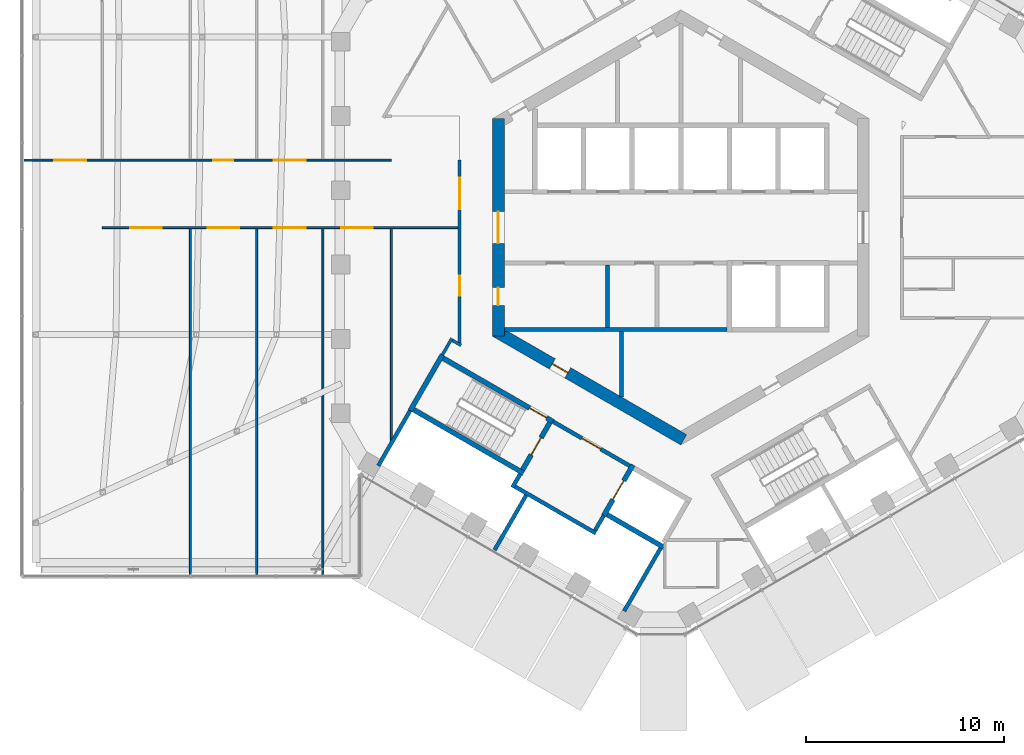
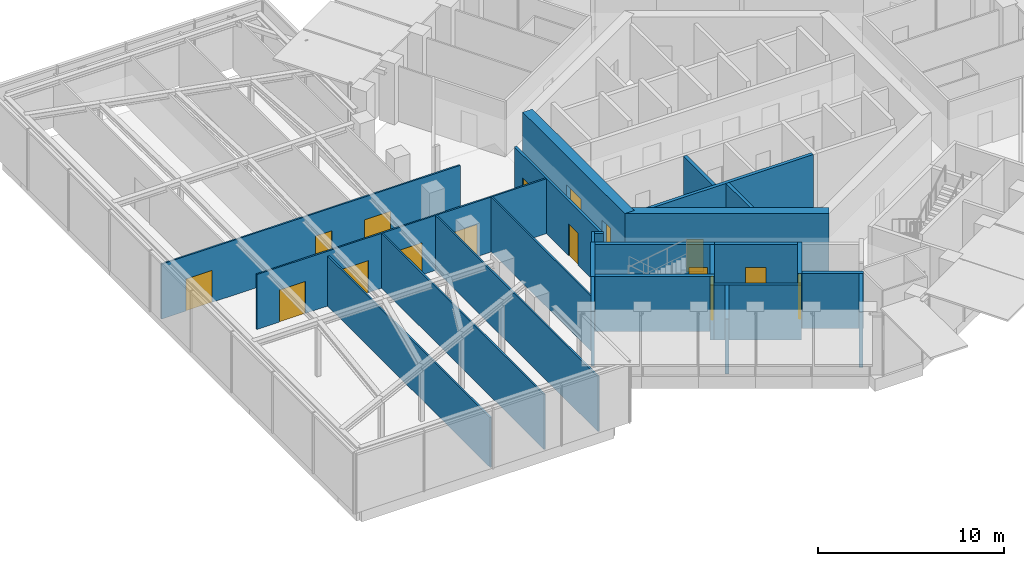
# One storey, part 16 of 24: 27 walls, 16 doors, 16 openings.
"""IFC4 building model written with IfcOpenShell, lengths in metres."""

from ifc_helpers import new_model, si_unit, direction, frame, frame_2d, origin, place, context, subcontext, project, spatial, rectangle, extrude, material, layer, layer_set, type_object, element, fill, save


model = new_model("IFC4")

# Units and contexts
model_context = context("Model", 3, precision=1e-05, world=origin(), true_north=direction((0.0, 1.0)))
body_context = subcontext(model_context, "Body", "Model", "MODEL_VIEW")
ifc_project = project(units=[si_unit("LENGTHUNIT", "METRE"), si_unit("AREAUNIT", "SQUARE_METRE"), si_unit("VOLUMEUNIT", "CUBIC_METRE"), si_unit("PLANEANGLEUNIT", "RADIAN"), si_unit("MASSUNIT", "GRAM", prefix="KILO")], contexts=[model_context])

# Site, building, storey
site_placement = place(None, origin())
site = spatial("IfcSite", under=ifc_project, at=site_placement, CompositionType="ELEMENT")
building_placement = place(site_placement, origin())
building = spatial("IfcBuilding", under=site, at=building_placement, Name="Ayvan Gate Tower", CompositionType="ELEMENT")
storey_placement = place(building_placement, frame((0.0, 0.0, 210.10009765625)))
storey = spatial("IfcBuildingStorey", under=building, at=storey_placement, Name="L56", CompositionType="ELEMENT", Elevation=210.10009765625)

# Wall, openings, doors
ifc_material_1 = material(Name="Concrete C60/75", Category="concrete")
ifc_layer_1 = layer(ifc_material_1, 0.60009765625)
ifc_layer_set_1 = layer_set([ifc_layer_1], Name="Concrete C60/75")
wall_type_1 = type_object("IfcWallType", Name="Core wall 600 C60/75", PredefinedType="SHEAR", material=ifc_layer_set_1)
wall_1_placement = place(storey_placement, frame((-9.199951171875, 5.48486328125, 0.0), z_axis=(0.0, 0.0, 1.0), x_axis=(0.0, -1.0, 0.0)))
wall_1 = element("IfcWall", 1, at=wall_1_placement, inside=storey, type_object=wall_type_1, Name="CORE-L56-3", PredefinedType="SHEAR", context=body_context, shape_type="SweptSolid", body=[
    extrude(rectangle(XDim=10.9697265625, YDim=0.60009765625, at=frame_2d((5.48486328125, 0.0))), origin(), (0.0, 0.0, 1.0), 4.0),
])
opening_1_placement = place(wall_1_placement, frame((8.51611328125, 0.0, 0.0)))
opening_1 = element("IfcOpeningElement", 2, at=opening_1_placement, cuts=wall_1, Name="Opening L56-D53", PredefinedType="OPENING", context=body_context, shape_type="SweptSolid", body=[
    extrude(rectangle(XDim=0.89990234375, YDim=2.10009765625, at=frame_2d((0.449951171875, 1.050048828125))), frame((0.0, 0.31005859375, 0.0), z_axis=(0.0, -1.0, 0.0), x_axis=(1.0, 0.0, 0.0)), (0.0, 0.0, 1.0), 0.6201171875),
])
opening_2_placement = place(wall_1_placement, frame((4.684814453125, 0.0, 0.0)))
opening_2 = element("IfcOpeningElement", 3, at=opening_2_placement, cuts=wall_1, Name="Opening L56-D55", PredefinedType="OPENING", context=body_context, shape_type="SweptSolid", body=[
    extrude(rectangle(XDim=1.60009765625, YDim=2.10009765625, at=frame_2d((0.800048828125, 1.050048828125))), frame((0.0, 0.31005859375, 0.0), z_axis=(0.0, -1.0, 0.0), x_axis=(1.0, 0.0, 0.0)), (0.0, 0.0, 1.0), 0.6201171875),
])
ifc_material_2 = material(Name="Timber door leaf", Category="wood")
door_type_1 = type_object("IfcDoorType", Name="DT-1600", OperationType="NOTDEFINED", PredefinedType="DOOR", material=ifc_material_2)
door_1_placement = place(opening_2_placement, origin())
door_1 = element("IfcDoor", 4, at=door_1_placement, inside=storey, type_object=door_type_1, Name="CD-L56-55", OperationType="SINGLE_SWING_LEFT", OverallHeight=2.10009765625, OverallWidth=1.60009765625, PredefinedType="DOOR", context=body_context, shape_type="SweptSolid", body=[
    extrude(rectangle(XDim=1.60009765625, YDim=2.10009765625, at=frame_2d((0.800048828125, 1.050048828125))), frame((0.0, 0.02490234375, 0.0), z_axis=(0.0, -1.0, 0.0), x_axis=(1.0, 0.0, 0.0)), (0.0, 0.0, 1.0), 0.050048828125),
])
fill(opening_2, door_1)
door_type_2 = type_object("IfcDoorType", Name="DT-900", OperationType="NOTDEFINED", PredefinedType="DOOR", material=ifc_material_2)
door_2_placement = place(opening_1_placement, origin())
door_2 = element("IfcDoor", 5, at=door_2_placement, inside=storey, type_object=door_type_2, Name="CD-L56-53", OperationType="SINGLE_SWING_LEFT", OverallHeight=2.10009765625, OverallWidth=0.89990234375, PredefinedType="DOOR", context=body_context, shape_type="SweptSolid", body=[
    extrude(rectangle(XDim=0.89990234375, YDim=2.10009765625, at=frame_2d((0.449951171875, 1.050048828125))), frame((0.0, 0.02490234375, 0.0), z_axis=(0.0, -1.0, 0.0), x_axis=(1.0, 0.0, 0.0)), (0.0, 0.0, 1.0), 0.050048828125),
])
fill(opening_1, door_2)

# Wall, opening, door
wall_2_placement = place(storey_placement, frame((-9.35009765625, -5.22509765625, 0.0), z_axis=(0.0, 0.0, 1.0), x_axis=(0.866023993627, -0.500002442456, 0.0)))
wall_2 = element("IfcWall", 6, at=wall_2_placement, inside=storey, type_object=wall_type_1, Name="CORE-L56-4", PredefinedType="SHEAR", context=body_context, shape_type="SweptSolid", body=[
    extrude(rectangle(XDim=10.9697265625, YDim=0.60009765625, at=frame_2d((5.48486328125, 0.0))), origin(), (0.0, 0.0, 1.0), 4.0),
])
opening_3_placement = place(wall_2_placement, frame((3.31494140625, 0.0, 0.0)))
opening_3 = element("IfcOpeningElement", 7, at=opening_3_placement, cuts=wall_2, Name="Opening L56-D51", PredefinedType="OPENING", context=body_context, shape_type="SweptSolid", body=[
    extrude(rectangle(XDim=0.89990234375, YDim=2.10009765625, at=frame_2d((0.449951171875, 1.050048828125))), frame((0.0, 0.31005859375, 0.0), z_axis=(0.0, -1.0, 0.0), x_axis=(1.0, 0.0, 0.0)), (0.0, 0.0, 1.0), 0.6201171875),
])
door_3_placement = place(opening_3_placement, origin())
door_3 = element("IfcDoor", 8, at=door_3_placement, inside=storey, type_object=door_type_2, Name="CD-L56-51", OperationType="SINGLE_SWING_LEFT", OverallHeight=2.10009765625, OverallWidth=0.89990234375, PredefinedType="DOOR", context=body_context, shape_type="SweptSolid", body=[
    extrude(rectangle(XDim=0.89990234375, YDim=2.10009765625, at=frame_2d((0.449951171875, 1.050048828125))), frame((0.0, 0.02490234375, 0.0), z_axis=(0.0, -1.0, 0.0), x_axis=(1.0, 0.0, 0.0)), (0.0, 0.0, 1.0), 0.050048828125),
])
fill(opening_3, door_3)

# Walls
ifc_material_3 = material(Name="Plasterboard on steel stud", Category="steel")
ifc_layer_2 = layer(ifc_material_3, 0.14990234375)
ifc_layer_set_2 = layer_set([ifc_layer_2], Name="Plasterboard on steel stud")
wall_type_2 = type_object("IfcWallType", Name="WT-CORR-150", PredefinedType="PARTITIONING", material=ifc_layer_set_2)
wall_3_placement = place(storey_placement, frame((-12.02294921875, -6.42431640625, 0.0), z_axis=(0.0, 0.0, 1.0), x_axis=(0.500023335103, 0.866011930837, 0.0)))
element("IfcWall", 9, at=wall_3_placement, inside=storey, type_object=wall_type_2, Name="IW-L56-014", PredefinedType="PARTITIONING", context=body_context, shape_type="SweptSolid", body=[
    extrude(rectangle(XDim=0.9599609375, YDim=0.14990234375, at=frame_2d((0.47998046875, 0.0))), origin(), (0.0, 0.0, 1.0), 3.599853515625),
])
wall_4_placement = place(storey_placement, frame((-11.515380859375, -5.6953125, 0.0), z_axis=(0.0, 0.0, 1.0), x_axis=(0.865997437773, -0.500048435424, 0.0)))
element("IfcWall", 10, at=wall_4_placement, inside=storey, type_object=wall_type_2, Name="IW-L56-018", PredefinedType="PARTITIONING", context=body_context, shape_type="SweptSolid", body=[
    extrude(rectangle(XDim=0.4970703125, YDim=0.14990234375, at=frame_2d((0.24853515625, 0.0))), origin(), (0.0, 0.0, 1.0), 3.599853515625),
])

# Wall, openings, doors
wall_5_placement = place(storey_placement, frame((-11.14990234375, 3.396484375, 0.0), z_axis=(0.0, 0.0, 1.0), x_axis=(0.0, -1.0, 0.0)))
wall_5 = element("IfcWall", 11, at=wall_5_placement, inside=storey, type_object=wall_type_2, Name="IW-L56-019", PredefinedType="PARTITIONING", context=body_context, shape_type="SweptSolid", body=[
    extrude(rectangle(XDim=9.227783203125, YDim=0.14990234375, at=frame_2d((4.61376953125, 0.0))), origin(), (0.0, 0.0, 1.0), 3.599853515625),
])
opening_4_placement = place(wall_5_placement, frame((0.885009765625, 0.0, 0.0)))
opening_4 = element("IfcOpeningElement", 12, at=opening_4_placement, cuts=wall_5, Name="Opening L56-D36", PredefinedType="OPENING", context=body_context, shape_type="SweptSolid", body=[
    extrude(rectangle(XDim=1.60009765625, YDim=2.10009765625, at=frame_2d((0.800048828125, 1.050048828125))), frame((0.0, 0.0849609375, 0.0), z_axis=(0.0, -1.0, 0.0), x_axis=(1.0, 0.0, 0.0)), (0.0, 0.0, 1.0), 0.169921875),
])
opening_5_placement = place(wall_5_placement, frame((5.828857421875, 0.0, 0.0)))
opening_5 = element("IfcOpeningElement", 13, at=opening_5_placement, cuts=wall_5, Name="Opening L56-D38", PredefinedType="OPENING", context=body_context, shape_type="SweptSolid", body=[
    extrude(rectangle(XDim=1.0, YDim=2.10009765625, at=frame_2d((0.5, 1.050048828125))), frame((0.0, 0.0849609375, 0.0), z_axis=(0.0, -1.0, 0.0), x_axis=(1.0, 0.0, 0.0)), (0.0, 0.0, 1.0), 0.169921875),
])
door_type_3 = type_object("IfcDoorType", Name="DT-1000", OperationType="NOTDEFINED", PredefinedType="DOOR", material=ifc_material_2)
door_4_placement = place(opening_5_placement, origin())
door_4 = element("IfcDoor", 14, at=door_4_placement, inside=storey, type_object=door_type_3, Name="ID-L56-038", OperationType="SINGLE_SWING_RIGHT", OverallHeight=2.10009765625, OverallWidth=1.0, PredefinedType="DOOR", context=body_context, shape_type="SweptSolid", body=[
    extrude(rectangle(XDim=1.0, YDim=2.10009765625, at=frame_2d((0.5, 1.050048828125))), frame((0.0, 0.02490234375, 0.0), z_axis=(0.0, -1.0, 0.0), x_axis=(1.0, 0.0, 0.0)), (0.0, 0.0, 1.0), 0.050048828125),
])
fill(opening_5, door_4)
door_5_placement = place(opening_4_placement, origin())
door_5 = element("IfcDoor", 15, at=door_5_placement, inside=storey, type_object=door_type_1, Name="ID-L56-036", OperationType="SINGLE_SWING_RIGHT", OverallHeight=2.10009765625, OverallWidth=1.60009765625, PredefinedType="DOOR", context=body_context, shape_type="SweptSolid", body=[
    extrude(rectangle(XDim=1.60009765625, YDim=2.10009765625, at=frame_2d((0.800048828125, 1.050048828125))), frame((0.0, 0.02490234375, 0.0), z_axis=(0.0, -1.0, 0.0), x_axis=(1.0, 0.0, 0.0)), (0.0, 0.0, 1.0), 0.050048828125),
])
fill(opening_4, door_5)

ifc_layer_3 = layer(ifc_material_3, 0.10009765625)
ifc_layer_set_3 = layer_set([ifc_layer_3], Name="Plasterboard on steel stud")
wall_type_3 = type_object("IfcWallType", Name="WT-PART-100", PredefinedType="PARTITIONING", material=ifc_layer_set_3)
wall_6_placement = place(storey_placement, frame((-33.120361328125, 3.396484375, 0.0), z_axis=(0.0, 0.0, 1.0), x_axis=(1.0, 0.0, 0.0)))
wall_6 = element("IfcWall", 16, at=wall_6_placement, inside=storey, type_object=wall_type_3, Name="IW-L56-000", PredefinedType="PARTITIONING", context=body_context, shape_type="SweptSolid", body=[
    extrude(rectangle(XDim=18.52001953125, YDim=0.10009765625, at=frame_2d((9.260009765625, 0.0))), origin(), (0.0, 0.0, 1.0), 3.599853515625),
])
opening_6_placement = place(wall_6_placement, frame((1.531005859375, 0.0, 0.0)))
opening_6 = element("IfcOpeningElement", 17, at=opening_6_placement, cuts=wall_6, Name="Opening L56-D37", PredefinedType="OPENING", context=body_context, shape_type="SweptSolid", body=[
    extrude(rectangle(XDim=1.60009765625, YDim=2.10009765625, at=frame_2d((0.800048828125, 1.050048828125))), frame((0.0, 0.06005859375, 0.0), z_axis=(0.0, -1.0, 0.0), x_axis=(1.0, 0.0, 0.0)), (0.0, 0.0, 1.0), 0.1201171875),
])
opening_7_placement = place(wall_6_placement, frame((12.59765625, 0.0, 0.0)))
opening_7 = element("IfcOpeningElement", 18, at=opening_7_placement, cuts=wall_6, Name="Opening L56-D41", PredefinedType="OPENING", context=body_context, shape_type="SweptSolid", body=[
    extrude(rectangle(XDim=1.60009765625, YDim=2.10009765625, at=frame_2d((0.800048828125, 1.050048828125))), frame((0.0, 0.06005859375, 0.0), z_axis=(0.0, -1.0, 0.0), x_axis=(1.0, 0.0, 0.0)), (0.0, 0.0, 1.0), 0.1201171875),
])
opening_8_placement = place(wall_6_placement, frame((9.55419921875, 0.0, 0.0)))
opening_8 = element("IfcOpeningElement", 19, at=opening_8_placement, cuts=wall_6, Name="Opening L56-D42", PredefinedType="OPENING", context=body_context, shape_type="SweptSolid", body=[
    extrude(rectangle(XDim=1.0, YDim=2.10009765625, at=frame_2d((0.5, 1.050048828125))), frame((0.0, 0.06005859375, 0.0), z_axis=(0.0, -1.0, 0.0), x_axis=(1.0, 0.0, 0.0)), (0.0, 0.0, 1.0), 0.1201171875),
])
door_6_placement = place(opening_8_placement, origin())
door_6 = element("IfcDoor", 20, at=door_6_placement, inside=storey, type_object=door_type_3, Name="ID-L56-042", OperationType="SINGLE_SWING_RIGHT", OverallHeight=2.10009765625, OverallWidth=1.0, PredefinedType="DOOR", context=body_context, shape_type="SweptSolid", body=[
    extrude(rectangle(XDim=1.0, YDim=2.10009765625, at=frame_2d((0.5, 1.050048828125))), frame((0.0, 0.02490234375, 0.0), z_axis=(0.0, -1.0, 0.0), x_axis=(1.0, 0.0, 0.0)), (0.0, 0.0, 1.0), 0.050048828125),
])
fill(opening_8, door_6)
door_7_placement = place(opening_6_placement, origin())
door_7 = element("IfcDoor", 21, at=door_7_placement, inside=storey, type_object=door_type_1, Name="ID-L56-037", OperationType="SINGLE_SWING_LEFT", OverallHeight=2.10009765625, OverallWidth=1.60009765625, PredefinedType="DOOR", context=body_context, shape_type="SweptSolid", body=[
    extrude(rectangle(XDim=1.60009765625, YDim=2.10009765625, at=frame_2d((0.800048828125, 1.050048828125))), frame((0.0, 0.02490234375, 0.0), z_axis=(0.0, -1.0, 0.0), x_axis=(1.0, 0.0, 0.0)), (0.0, 0.0, 1.0), 0.050048828125),
])
fill(opening_6, door_7)
door_8_placement = place(opening_7_placement, origin())
door_8 = element("IfcDoor", 22, at=door_8_placement, inside=storey, type_object=door_type_1, Name="ID-L56-041", OperationType="SINGLE_SWING_LEFT", OverallHeight=2.10009765625, OverallWidth=1.60009765625, PredefinedType="DOOR", context=body_context, shape_type="SweptSolid", body=[
    extrude(rectangle(XDim=1.60009765625, YDim=2.10009765625, at=frame_2d((0.800048828125, 1.050048828125))), frame((0.0, 0.02490234375, 0.0), z_axis=(0.0, -1.0, 0.0), x_axis=(1.0, 0.0, 0.0)), (0.0, 0.0, 1.0), 0.050048828125),
])
fill(opening_7, door_8)

# Wall
wall_7_placement = place(storey_placement, frame((-24.738037109375, -17.49609375, 0.0), z_axis=(0.0, 0.0, 1.0), x_axis=(0.0, 1.0, 0.0)))
element("IfcWall", 23, at=wall_7_placement, inside=storey, type_object=wall_type_3, Name="IW-L56-002", PredefinedType="PARTITIONING", context=body_context, shape_type="SweptSolid", body=[
    extrude(rectangle(XDim=17.4423828125, YDim=0.10009765625, at=frame_2d((8.72119140625, 0.0))), origin(), (0.0, 0.0, 1.0), 3.27490234375),
])

# Wall, openings, doors
wall_8_placement = place(storey_placement, frame((-29.17431640625, -0.003662109375, 0.0), z_axis=(0.0, 0.0, 1.0), x_axis=(1.0, 0.0, 0.0)))
wall_8 = element("IfcWall", 24, at=wall_8_placement, inside=storey, type_object=wall_type_3, Name="IW-L56-004", PredefinedType="PARTITIONING", context=body_context, shape_type="SweptSolid", body=[
    extrude(rectangle(XDim=17.94921875, YDim=0.10009765625, at=frame_2d((8.974609375, 0.0))), origin(), (0.0, 0.0, 1.0), 3.599853515625),
])
opening_9_placement = place(wall_8_placement, frame((12.048583984375, 0.0, 0.0)))
opening_9 = element("IfcOpeningElement", 25, at=opening_9_placement, cuts=wall_8, Name="Opening L56-D39", PredefinedType="OPENING", context=body_context, shape_type="SweptSolid", body=[
    extrude(rectangle(XDim=1.60009765625, YDim=2.10009765625, at=frame_2d((0.800048828125, 1.050048828125))), frame((0.0, 0.06005859375, 0.0), z_axis=(0.0, -1.0, 0.0), x_axis=(1.0, 0.0, 0.0)), (0.0, 0.0, 1.0), 0.1201171875),
])
opening_10_placement = place(wall_8_placement, frame((8.651611328125, 0.0, 0.0)))
opening_10 = element("IfcOpeningElement", 26, at=opening_10_placement, cuts=wall_8, Name="Opening L56-D43", PredefinedType="OPENING", context=body_context, shape_type="SweptSolid", body=[
    extrude(rectangle(XDim=1.60009765625, YDim=2.10009765625, at=frame_2d((0.800048828125, 1.050048828125))), frame((0.0, 0.06005859375, 0.0), z_axis=(0.0, -1.0, 0.0), x_axis=(1.0, 0.0, 0.0)), (0.0, 0.0, 1.0), 0.1201171875),
])
opening_11_placement = place(wall_8_placement, frame((5.30810546875, 0.0, 0.0)))
opening_11 = element("IfcOpeningElement", 27, at=opening_11_placement, cuts=wall_8, Name="Opening L56-D44", PredefinedType="OPENING", context=body_context, shape_type="SweptSolid", body=[
    extrude(rectangle(XDim=1.60009765625, YDim=2.10009765625, at=frame_2d((0.800048828125, 1.050048828125))), frame((0.0, 0.06005859375, 0.0), z_axis=(0.0, -1.0, 0.0), x_axis=(1.0, 0.0, 0.0)), (0.0, 0.0, 1.0), 0.1201171875),
])
opening_12_placement = place(wall_8_placement, frame((1.4033203125, 0.0, 0.0)))
opening_12 = element("IfcOpeningElement", 28, at=opening_12_placement, cuts=wall_8, Name="Opening L56-D46", PredefinedType="OPENING", context=body_context, shape_type="SweptSolid", body=[
    extrude(rectangle(XDim=1.60009765625, YDim=2.10009765625, at=frame_2d((0.800048828125, 1.050048828125))), frame((0.0, 0.06005859375, 0.0), z_axis=(0.0, -1.0, 0.0), x_axis=(1.0, 0.0, 0.0)), (0.0, 0.0, 1.0), 0.1201171875),
])
door_9_placement = place(opening_9_placement, origin())
door_9 = element("IfcDoor", 29, at=door_9_placement, inside=storey, type_object=door_type_1, Name="ID-L56-039", OperationType="SINGLE_SWING_RIGHT", OverallHeight=2.10009765625, OverallWidth=1.60009765625, PredefinedType="DOOR", context=body_context, shape_type="SweptSolid", body=[
    extrude(rectangle(XDim=1.60009765625, YDim=2.10009765625, at=frame_2d((0.800048828125, 1.050048828125))), frame((0.0, 0.02490234375, 0.0), z_axis=(0.0, -1.0, 0.0), x_axis=(1.0, 0.0, 0.0)), (0.0, 0.0, 1.0), 0.050048828125),
])
fill(opening_9, door_9)
door_10_placement = place(opening_10_placement, origin())
door_10 = element("IfcDoor", 30, at=door_10_placement, inside=storey, type_object=door_type_1, Name="ID-L56-043", OperationType="SINGLE_SWING_LEFT", OverallHeight=2.10009765625, OverallWidth=1.60009765625, PredefinedType="DOOR", context=body_context, shape_type="SweptSolid", body=[
    extrude(rectangle(XDim=1.60009765625, YDim=2.10009765625, at=frame_2d((0.800048828125, 1.050048828125))), frame((0.0, 0.02490234375, 0.0), z_axis=(0.0, -1.0, 0.0), x_axis=(1.0, 0.0, 0.0)), (0.0, 0.0, 1.0), 0.050048828125),
])
fill(opening_10, door_10)
door_11_placement = place(opening_11_placement, origin())
door_11 = element("IfcDoor", 31, at=door_11_placement, inside=storey, type_object=door_type_1, Name="ID-L56-044", OperationType="SINGLE_SWING_RIGHT", OverallHeight=2.10009765625, OverallWidth=1.60009765625, PredefinedType="DOOR", context=body_context, shape_type="SweptSolid", body=[
    extrude(rectangle(XDim=1.60009765625, YDim=2.10009765625, at=frame_2d((0.800048828125, 1.050048828125))), frame((0.0, 0.02490234375, 0.0), z_axis=(0.0, -1.0, 0.0), x_axis=(1.0, 0.0, 0.0)), (0.0, 0.0, 1.0), 0.050048828125),
])
fill(opening_11, door_11)
door_12_placement = place(opening_12_placement, origin())
door_12 = element("IfcDoor", 32, at=door_12_placement, inside=storey, type_object=door_type_1, Name="ID-L56-046", OperationType="SINGLE_SWING_RIGHT", OverallHeight=2.10009765625, OverallWidth=1.60009765625, PredefinedType="DOOR", context=body_context, shape_type="SweptSolid", body=[
    extrude(rectangle(XDim=1.60009765625, YDim=2.10009765625, at=frame_2d((0.800048828125, 1.050048828125))), frame((0.0, 0.02490234375, 0.0), z_axis=(0.0, -1.0, 0.0), x_axis=(1.0, 0.0, 0.0)), (0.0, 0.0, 1.0), 0.050048828125),
])
fill(opening_12, door_12)

# Walls
for number, where, z_axis, x_axis, name in (
    (33, (-21.394287109375, -17.49609375, 0.0), (0.0, 0.0, 1.0), (0.0, 1.0, 0.0), "IW-L56-005"),
    (34, (-18.05078125, -17.49609375, 0.0), (0.0, 0.0, 1.0), (0.0, 1.0, 0.0), "IW-L56-007"),
):
    element("IfcWall", number, at=place(storey_placement, frame(where, z_axis=z_axis, x_axis=x_axis)), inside=storey, type_object=wall_type_3, Name=name, PredefinedType="PARTITIONING", context=body_context, shape_type="SweptSolid", body=[
        extrude(rectangle(XDim=17.4423828125, YDim=0.10009765625, at=frame_2d((8.72119140625, 0.0))), origin(), (0.0, 0.0, 1.0), 3.599853515625),
    ])
wall_9_placement = place(storey_placement, frame((-14.600341796875, -10.788818359375, 0.0), z_axis=(0.0, 0.0, 1.0), x_axis=(0.0, 1.0, 0.0)))
element("IfcWall", 35, at=wall_9_placement, inside=storey, type_object=wall_type_3, Name="IW-L56-011", PredefinedType="PARTITIONING", context=body_context, shape_type="SweptSolid", body=[
    extrude(rectangle(XDim=10.735107421875, YDim=0.10009765625, at=frame_2d((5.36767578125, 0.0))), origin(), (0.0, 0.0, 1.0), 3.599853515625),
])
ifc_layer_4 = layer(ifc_material_3, 0.199951171875)
ifc_layer_set_4 = layer_set([ifc_layer_4], Name="Plasterboard on steel stud")
wall_type_4 = type_object("IfcWallType", Name="WT-PLUMB-200", PredefinedType="PLUMBINGWALL", material=ifc_layer_set_4)
wall_10_placement = place(storey_placement, frame((-15.253662109375, -12.020263671875, 0.0), z_axis=(0.0, 0.0, 1.0), x_axis=(0.499957148214, 0.866050142861, 0.0)))
element("IfcWall", 36, at=wall_10_placement, inside=storey, type_object=wall_type_4, Name="IW-L56-009", PredefinedType="PLUMBINGWALL", context=body_context, shape_type="SweptSolid", body=[
    extrude(rectangle(XDim=3.211669921875, YDim=0.199951171875, at=frame_2d((1.60595703125, 0.0))), origin(), (0.0, 0.0, 1.0), 3.599853515625),
])
wall_11_placement = place(storey_placement, frame((-8.492919921875, -13.110107421875, 0.0), z_axis=(0.0, 0.0, 1.0), x_axis=(0.500067724834, 0.865986299303, 0.0)))
element("IfcWall", 37, at=wall_11_placement, inside=storey, type_object=wall_type_4, Name="IW-L56-023", PredefinedType="PLUMBINGWALL", context=body_context, shape_type="SweptSolid", body=[
    extrude(rectangle(XDim=0.775390625, YDim=0.199951171875, at=frame_2d((0.3876953125, 0.0))), origin(), (0.0, 0.0, 1.0), 3.599853515625),
])
wall_12_placement = place(storey_placement, frame((-7.800048828125, -13.510009765625, 0.0), z_axis=(0.0, 0.0, 1.0), x_axis=(-0.500016846771, -0.866015677078, 0.0)))
element("IfcWall", 38, at=wall_12_placement, inside=storey, type_object=wall_type_4, Name="IW-L56-025", PredefinedType="PLUMBINGWALL", context=body_context, shape_type="SweptSolid", body=[
    extrude(rectangle(XDim=3.1826171875, YDim=0.199951171875, at=frame_2d((1.59130859375, 0.0))), origin(), (0.0, 0.0, 1.0), 3.599853515625),
])
wall_13_placement = place(storey_placement, frame((-8.356201171875, -13.073486328125, 0.0), z_axis=(0.0, 0.0, 1.0), x_axis=(0.866038532462, -0.499977259774, 0.0)))
element("IfcWall", 39, at=wall_13_placement, inside=storey, type_object=wall_type_4, Name="IW-L56-026", PredefinedType="PLUMBINGWALL", context=body_context, shape_type="SweptSolid", body=[
    extrude(rectangle(XDim=4.699951171875, YDim=0.199951171875, at=frame_2d((2.35009765625, 0.0))), origin(), (0.0, 0.0, 1.0), 3.599853515625),
])
wall_14_placement = place(storey_placement, frame((-3.885009765625, -14.52880859375, 0.0), z_axis=(0.0, 0.0, 1.0), x_axis=(-0.499859285417, -0.866106630146, 0.0)))
element("IfcWall", 40, at=wall_14_placement, inside=storey, type_object=wall_type_4, Name="IW-L56-038", PredefinedType="PLUMBINGWALL", context=body_context, shape_type="SweptSolid", body=[
    extrude(rectangle(XDim=0.875244140625, YDim=0.199951171875, at=frame_2d((0.4375, 0.0))), origin(), (0.0, 0.0, 1.0), 3.599853515625),
])
wall_15_placement = place(storey_placement, frame((-1.027099609375, -16.178955078125, 0.0), z_axis=(0.0, 0.0, 1.0), x_axis=(-0.499989866495, -0.866031254287, 0.0)))
element("IfcWall", 41, at=wall_15_placement, inside=storey, type_object=wall_type_4, Name="IW-L56-050", PredefinedType="PLUMBINGWALL", context=body_context, shape_type="SweptSolid", body=[
    extrude(rectangle(XDim=3.66162109375, YDim=0.199951171875, at=frame_2d((1.830810546875, 0.0))), origin(), (0.0, 0.0, 1.0), 3.599853515625),
])
ifc_layer_5 = layer(ifc_material_3, 0.199951171875)
ifc_layer_set_5 = layer_set([ifc_layer_5], Name="Plasterboard on steel stud")
wall_type_5 = type_object("IfcWallType", Name="WT-RATED-200", PredefinedType="PARTITIONING", material=ifc_layer_set_5)
wall_16_placement = place(storey_placement, frame((-8.8798828125, -5.14990234375, 0.0), z_axis=(0.0, 0.0, 1.0), x_axis=(1.0, 0.0, 0.0)))
element("IfcWall", 42, at=wall_16_placement, inside=storey, type_object=wall_type_5, Name="IW-L56-022", PredefinedType="PARTITIONING", context=body_context, shape_type="SweptSolid", body=[
    extrude(rectangle(XDim=11.205078125, YDim=0.199951171875, at=frame_2d((5.6025390625, 0.0))), origin(), (0.0, 0.0, 1.0), 3.599853515625),
])

# Wall, opening, door
wall_17_placement = place(storey_placement, frame((-6.4345703125, -9.794921875, 0.0), z_axis=(0.0, 0.0, 1.0), x_axis=(0.866012907634, -0.500021643343, 0.0)))
wall_17 = element("IfcWall", 43, at=wall_17_placement, inside=storey, type_object=wall_type_5, Name="IW-L56-032", PredefinedType="PARTITIONING", context=body_context, shape_type="SweptSolid", body=[
    extrude(rectangle(XDim=4.449951171875, YDim=0.199951171875, at=frame_2d((2.22509765625, 0.0))), origin(), (0.0, 0.0, 1.0), 3.599853515625),
])
opening_13_placement = place(wall_17_placement, frame((1.675048828125, 0.0, 0.0)))
opening_13 = element("IfcOpeningElement", 44, at=opening_13_placement, cuts=wall_17, Name="Opening L56-D17", PredefinedType="OPENING", context=body_context, shape_type="SweptSolid", body=[
    extrude(rectangle(XDim=1.10009765625, YDim=2.10009765625, at=frame_2d((0.550048828125, 1.050048828125))), frame((0.0, 0.10986328125, 0.0), z_axis=(0.0, -1.0, 0.0), x_axis=(1.0, 0.0, 0.0)), (0.0, 0.0, 1.0), 0.219970703125),
])
door_type_4 = type_object("IfcDoorType", Name="DT-1100", OperationType="NOTDEFINED", PredefinedType="DOOR", material=ifc_material_2)
door_13_placement = place(opening_13_placement, origin())
door_13 = element("IfcDoor", 45, at=door_13_placement, inside=storey, type_object=door_type_4, Name="ID-L56-017", OperationType="SINGLE_SWING_LEFT", OverallHeight=2.10009765625, OverallWidth=1.10009765625, PredefinedType="DOOR", context=body_context, shape_type="SweptSolid", body=[
    extrude(rectangle(XDim=1.10009765625, YDim=2.10009765625, at=frame_2d((0.550048828125, 1.050048828125))), frame((0.0, 0.02490234375, 0.0), z_axis=(0.0, -1.0, 0.0), x_axis=(1.0, 0.0, 0.0)), (0.0, 0.0, 1.0), 0.050048828125),
])
fill(opening_13, door_13)

# Walls
wall_18_placement = place(storey_placement, frame((-3.699951171875, -1.89990234375, 0.0), z_axis=(0.0, 0.0, 1.0), x_axis=(0.0, -1.0, 0.0)))
element("IfcWall", 46, at=wall_18_placement, inside=storey, type_object=wall_type_5, Name="IW-L56-039", PredefinedType="PARTITIONING", context=body_context, shape_type="SweptSolid", body=[
    extrude(rectangle(XDim=3.150146484375, YDim=0.199951171875, at=frame_2d((1.5751953125, 0.0))), origin(), (0.0, 0.0, 1.0), 3.599853515625),
])
wall_19_placement = place(storey_placement, frame((-3.0, -5.25, 0.0), z_axis=(0.0, 0.0, 1.0), x_axis=(0.0, -1.0, 0.0)))
element("IfcWall", 47, at=wall_19_placement, inside=storey, type_object=wall_type_5, Name="IW-L56-042", PredefinedType="PARTITIONING", context=body_context, shape_type="SweptSolid", body=[
    extrude(rectangle(XDim=3.294921875, YDim=0.199951171875, at=frame_2d((1.6474609375, 0.0))), origin(), (0.0, 0.0, 1.0), 3.599853515625),
])
ifc_material_4 = material(Name="Concrete C50/60", Category="concrete")
ifc_layer_6 = layer(ifc_material_4, 0.25)
ifc_layer_set_6 = layer_set([ifc_layer_6], Name="Concrete C50/60")
wall_type_6 = type_object("IfcWallType", Name="WT-RC-250", PredefinedType="SHEAR", material=ifc_layer_set_6)
wall_20_placement = place(storey_placement, frame((-13.64794921875, -9.23876953125, 0.0), z_axis=(0.0, 0.0, 1.0), x_axis=(0.500017246033, 0.866015446554, 0.0)))
element("IfcWall", 48, at=wall_20_placement, inside=storey, type_object=wall_type_6, Name="IW-L56-013", PredefinedType="SHEAR", context=body_context, shape_type="SweptSolid", body=[
    extrude(rectangle(XDim=3.25, YDim=0.25, at=frame_2d((1.625, 0.0))), origin(), (0.0, 0.0, 1.0), 3.599853515625),
])

# Wall, opening, door
wall_21_placement = place(storey_placement, frame((-11.97705078125, -6.594970703125, 0.0), z_axis=(0.0, 0.0, 1.0), x_axis=(0.866025499775, -0.499999833739, 0.0)))
wall_21 = element("IfcWall", 49, at=wall_21_placement, inside=storey, type_object=wall_type_6, Name="IW-L56-015", PredefinedType="SHEAR", context=body_context, shape_type="SweptSolid", body=[
    extrude(rectangle(XDim=6.39990234375, YDim=0.25, at=frame_2d((3.199951171875, 0.0))), origin(), (0.0, 0.0, 1.0), 3.599853515625),
])
opening_14_placement = place(wall_21_placement, frame((5.02490234375, 0.0, 0.0)))
opening_14 = element("IfcOpeningElement", 50, at=opening_14_placement, cuts=wall_21, Name="Opening L56-D15", PredefinedType="OPENING", context=body_context, shape_type="SweptSolid", body=[
    extrude(rectangle(XDim=1.0, YDim=2.10009765625, at=frame_2d((0.5, 1.050048828125))), frame((0.0, 0.135009765625, 0.0), z_axis=(0.0, -1.0, 0.0), x_axis=(1.0, 0.0, 0.0)), (0.0, 0.0, 1.0), 0.27001953125),
])
door_14_placement = place(opening_14_placement, origin())
door_14 = element("IfcDoor", 51, at=door_14_placement, inside=storey, type_object=door_type_3, Name="ID-L56-015", OperationType="SINGLE_SWING_LEFT", OverallHeight=2.10009765625, OverallWidth=1.0, PredefinedType="DOOR", context=body_context, shape_type="SweptSolid", body=[
    extrude(rectangle(XDim=1.0, YDim=2.10009765625, at=frame_2d((0.5, 1.050048828125))), frame((0.0, 0.02490234375, 0.0), z_axis=(0.0, -1.0, 0.0), x_axis=(1.0, 0.0, 0.0)), (0.0, 0.0, 1.0), 0.050048828125),
])
fill(opening_14, door_14)

# Wall
wall_22_placement = place(storey_placement, frame((-7.9345703125, -12.39306640625, 0.0), z_axis=(0.0, 0.0, 1.0), x_axis=(-0.866025499775, 0.499999833739, 0.0)))
element("IfcWall", 52, at=wall_22_placement, inside=storey, type_object=wall_type_6, Name="IW-L56-024", PredefinedType="SHEAR", context=body_context, shape_type="SweptSolid", body=[
    extrude(rectangle(XDim=6.39990234375, YDim=0.25, at=frame_2d((3.199951171875, 0.0))), origin(), (0.0, 0.0, 1.0), 3.599853515625),
])

# Wall, opening, door
wall_23_placement = place(storey_placement, frame((-6.605224609375, -9.8408203125, 0.0), z_axis=(0.0, 0.0, 1.0), x_axis=(-0.499996545922, -0.866027397988, 0.0)))
wall_23 = element("IfcWall", 53, at=wall_23_placement, inside=storey, type_object=wall_type_6, Name="IW-L56-031", PredefinedType="SHEAR", context=body_context, shape_type="SweptSolid", body=[
    extrude(rectangle(XDim=2.75, YDim=0.25, at=frame_2d((1.375, 0.0))), origin(), (0.0, 0.0, 1.0), 3.599853515625),
])
opening_15_placement = place(wall_23_placement, frame((0.875, 0.0, 0.0)))
opening_15 = element("IfcOpeningElement", 54, at=opening_15_placement, cuts=wall_23, Name="Opening L56-D16", PredefinedType="OPENING", context=body_context, shape_type="SweptSolid", body=[
    extrude(rectangle(XDim=1.0, YDim=2.10009765625, at=frame_2d((0.5, 1.050048828125))), frame((0.0, 0.135009765625, 0.0), z_axis=(0.0, -1.0, 0.0), x_axis=(1.0, 0.0, 0.0)), (0.0, 0.0, 1.0), 0.27001953125),
])
door_15_placement = place(opening_15_placement, origin())
door_15 = element("IfcDoor", 55, at=door_15_placement, inside=storey, type_object=door_type_3, Name="ID-L56-016", OperationType="SINGLE_SWING_RIGHT", OverallHeight=2.10009765625, OverallWidth=1.0, PredefinedType="DOOR", context=body_context, shape_type="SweptSolid", body=[
    extrude(rectangle(XDim=1.0, YDim=2.10009765625, at=frame_2d((0.5, 1.050048828125))), frame((0.0, 0.02490234375, 0.0), z_axis=(0.0, -1.0, 0.0), x_axis=(1.0, 0.0, 0.0)), (0.0, 0.0, 1.0), 0.050048828125),
])
fill(opening_15, door_15)

wall_24_placement = place(storey_placement, frame((-2.409912109375, -11.97412109375, 0.0), z_axis=(0.0, 0.0, 1.0), x_axis=(-0.500001826776, -0.866024349092, 0.0)))
wall_24 = element("IfcWall", 56, at=wall_24_placement, inside=storey, type_object=wall_type_6, Name="IW-L56-044", PredefinedType="SHEAR", context=body_context, shape_type="SweptSolid", body=[
    extrude(rectangle(XDim=2.9501953125, YDim=0.25, at=frame_2d((1.47509765625, 0.0))), origin(), (0.0, 0.0, 1.0), 3.599853515625),
])
opening_16_placement = place(wall_24_placement, frame((0.925048828125, 0.0, 0.0)))
opening_16 = element("IfcOpeningElement", 57, at=opening_16_placement, cuts=wall_24, Name="Opening L56-LD-FF2", PredefinedType="OPENING", context=body_context, shape_type="SweptSolid", body=[
    extrude(rectangle(XDim=1.10009765625, YDim=2.10009765625, at=frame_2d((0.550048828125, 1.050048828125))), frame((0.0, 0.135009765625, 0.0), z_axis=(0.0, -1.0, 0.0), x_axis=(1.0, 0.0, 0.0)), (0.0, 0.0, 1.0), 0.27001953125),
])
ifc_material_5 = material(Name="Stainless steel landing door", Category="steel")
door_type_5 = type_object("IfcDoorType", Name="DT-LANDING-1100", OperationType="SLIDING_TO_LEFT", PredefinedType="DOOR", material=ifc_material_5)
door_16_placement = place(opening_16_placement, origin())
door_16 = element("IfcDoor", 58, at=door_16_placement, inside=storey, type_object=door_type_5, Name="ID-L56-018", OperationType="SLIDING_TO_LEFT", OverallHeight=2.10009765625, OverallWidth=1.10009765625, PredefinedType="DOOR", context=body_context, shape_type="SweptSolid", body=[
    extrude(rectangle(XDim=1.10009765625, YDim=2.10009765625, at=frame_2d((0.550048828125, 1.050048828125))), frame((0.0, 0.02490234375, 0.0), z_axis=(0.0, -1.0, 0.0), x_axis=(1.0, 0.0, 0.0)), (0.0, 0.0, 1.0), 0.050048828125),
])
fill(opening_16, door_16)

# Wall
wall_25_placement = place(storey_placement, frame((-0.8564453125, -16.13330078125, 0.0), z_axis=(0.0, 0.0, 1.0), x_axis=(-0.866021716278, 0.500006386895, 0.0)))
element("IfcWall", 59, at=wall_25_placement, inside=storey, type_object=wall_type_6, Name="IW-L56-049", PredefinedType="SHEAR", context=body_context, shape_type="SweptSolid", body=[
    extrude(rectangle(XDim=3.2998046875, YDim=0.25, at=frame_2d((1.64990234375, 0.0))), origin(), (0.0, 0.0, 1.0), 3.599853515625),
])

save(model, "model.ifc")
